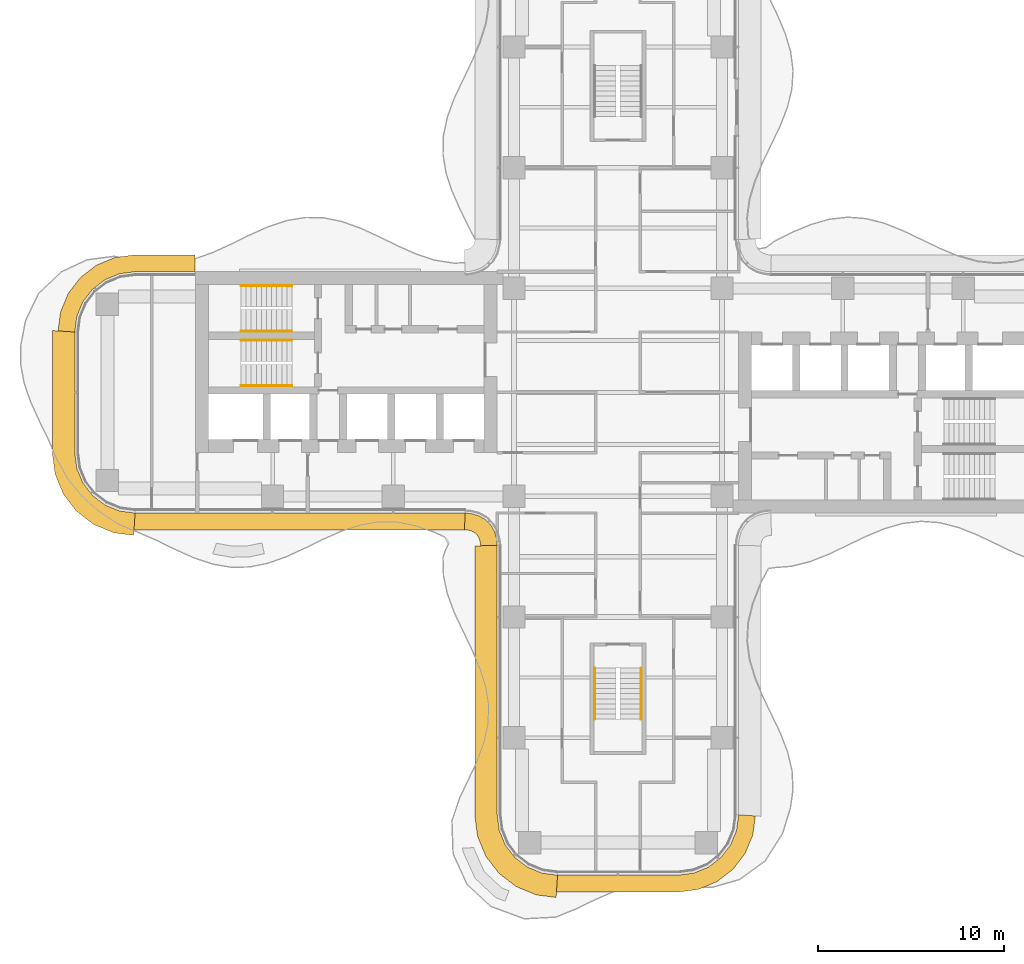
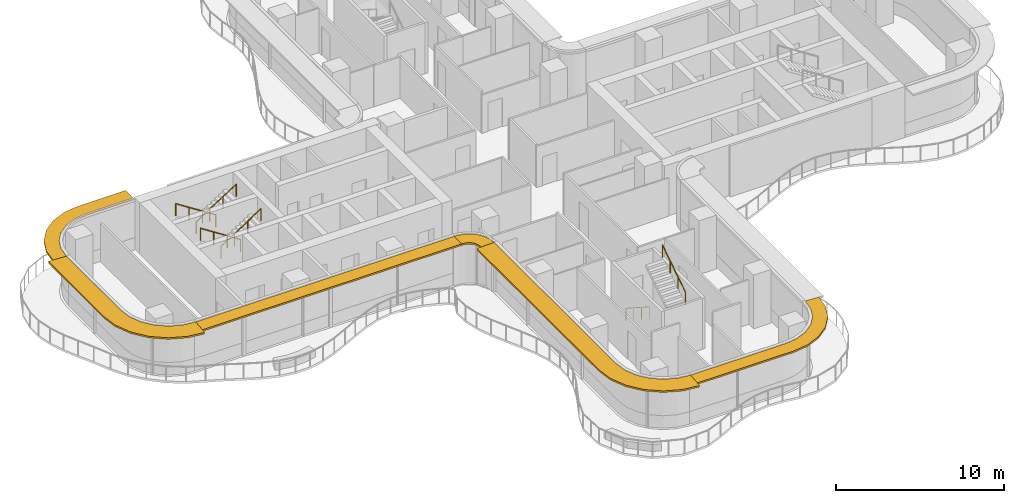
# One storey, part 16 of 17: 6 railings, 6 shading devices.
"""IFC4 building model written with IfcOpenShell, lengths in metres."""

from ifc_helpers import new_model, si_unit, direction, frame, origin, origin_2d, place, context, subcontext, project, spatial, polyline, circle, outline, extrude, source, transform, mapped, material, layer, layer_set, type_object, element, save


model = new_model("IFC4")

# Units and contexts
model_context = context("Model", 3, precision=1e-05, world=origin(), true_north=direction((0.0, 1.0)))
body_context = subcontext(model_context, "Body", "Model", "MODEL_VIEW")
ifc_project = project(units=[si_unit("LENGTHUNIT", "METRE"), si_unit("AREAUNIT", "SQUARE_METRE"), si_unit("VOLUMEUNIT", "CUBIC_METRE"), si_unit("PLANEANGLEUNIT", "RADIAN"), si_unit("MASSUNIT", "GRAM", prefix="KILO")], contexts=[model_context])

# Site, building, storey
site_placement = place(None, origin())
site = spatial("IfcSite", under=ifc_project, at=site_placement, CompositionType="ELEMENT")
building_placement = place(site_placement, origin())
building = spatial("IfcBuilding", under=site, at=building_placement, Name="Trellis Farm Tower", CompositionType="ELEMENT")
storey_placement = place(building_placement, frame((0.0, 0.0, 173.699951171875)))
storey = spatial("IfcBuildingStorey", under=building, at=storey_placement, Name="L37", CompositionType="ELEMENT", Elevation=173.699951171875)

# Railings
ifc_material_1 = material(Name="Stainless steel", Category="steel")
railing_type = type_object("IfcRailingType", Name="STAIR HANDRAIL 900", PredefinedType="HANDRAIL", material=ifc_material_1)
shared_shape_1 = source(origin(), body_context, "Body", "SweptSolid", [
    extrude(circle(Radius=0.02392578125, at=origin_2d()), frame((0.0, 0.0, 0.8759765625), z_axis=(0.0, 0.840503830235, 0.541805602924), x_axis=(-1.0, 0.0, 0.0)), (0.0, 0.0, 1.0), 3.271728515625),
    extrude(circle(Radius=0.02099609375, at=origin_2d()), origin(), (0.0, 0.0, 1.0), 0.851806640625),
    extrude(circle(Radius=0.02099609375, at=origin_2d()), frame((0.0, 0.916748046875, 0.5908203125)), (0.0, 0.0, 1.0), 0.851806640625),
    extrude(circle(Radius=0.02099609375, at=origin_2d()), frame((0.0, 1.833251953125, 1.181884765625)), (0.0, 0.0, 1.0), 0.851806640625),
    extrude(circle(Radius=0.02099609375, at=origin_2d()), frame((0.0, 2.75, 1.772705078125)), (0.0, 0.0, 1.0), 0.851806640625),
])
railing_1_placement = place(storey_placement, frame((1.25, -17.60009765625, 2.12744140625)))
element("IfcRailing", 1, at=railing_1_placement, inside=storey, type_object=railing_type, Name="Stair handrail", PredefinedType="HANDRAIL", context=body_context, shape_type="MappedRepresentation", body=[
    mapped(shared_shape_1, transform((0.0, 0.0, 0.0))),
])
shared_shape_2 = source(origin(), body_context, "Body", "SweptSolid", [
    extrude(circle(Radius=0.02392578125, at=origin_2d()), frame((0.0, 0.0, 0.8759765625), z_axis=(0.0, -0.840503830235, 0.541805602924), x_axis=(1.0, 0.0, 0.0)), (0.0, 0.0, 1.0), 3.271728515625),
    extrude(circle(Radius=0.02099609375, at=origin_2d()), origin(), (0.0, 0.0, 1.0), 0.851806640625),
    extrude(circle(Radius=0.02099609375, at=origin_2d()), frame((0.0, -0.916748046875, 0.5908203125)), (0.0, 0.0, 1.0), 0.851806640625),
    extrude(circle(Radius=0.02099609375, at=origin_2d()), frame((0.0, -1.833251953125, 1.181884765625)), (0.0, 0.0, 1.0), 0.851806640625),
    extrude(circle(Radius=0.02099609375, at=origin_2d()), frame((0.0, -2.75, 1.772705078125)), (0.0, 0.0, 1.0), 0.851806640625),
])
railing_2_placement = place(storey_placement, frame((-1.25, -14.85009765625, 0.17724609375)))
element("IfcRailing", 2, at=railing_2_placement, inside=storey, type_object=railing_type, Name="Stair handrail", PredefinedType="HANDRAIL", context=body_context, shape_type="MappedRepresentation", body=[
    mapped(shared_shape_2, transform((0.0, 0.0, 0.0))),
])
shared_shape_3 = source(origin(), body_context, "Body", "SweptSolid", [
    extrude(circle(Radius=0.02392578125, at=origin_2d()), frame((0.0, 0.0, 0.8759765625), z_axis=(0.840503830235, 0.0, 0.541805602924), x_axis=(0.0, 1.0, 0.0)), (0.0, 0.0, 1.0), 3.271728515625),
    extrude(circle(Radius=0.02099609375, at=origin_2d()), origin(), (0.0, 0.0, 1.0), 0.851806640625),
    extrude(circle(Radius=0.02099609375, at=origin_2d()), frame((0.916748046875, 0.0, 0.5908203125)), (0.0, 0.0, 1.0), 0.851806640625),
    extrude(circle(Radius=0.02099609375, at=origin_2d()), frame((1.833251953125, 0.0, 1.181884765625)), (0.0, 0.0, 1.0), 0.851806640625),
    extrude(circle(Radius=0.02099609375, at=origin_2d()), frame((2.75, 0.0, 1.772705078125)), (0.0, 0.0, 1.0), 0.851806640625),
])
for number, where, name in (
    (3, (-20.300048828125, 3.300048828125, 2.12744140625), "Stair handrail"),
    (4, (-20.300048828125, 0.35009765625, 2.12744140625), "Stair handrail"),
):
    element("IfcRailing", number, at=place(storey_placement, frame(where)), inside=storey, type_object=railing_type, Name=name, PredefinedType="HANDRAIL", context=body_context, shape_type="MappedRepresentation", body=[
        mapped(shared_shape_3, transform((0.0, 0.0, 0.0))),
    ])
shared_shape_4 = source(origin(), body_context, "Body", "SweptSolid", [
    extrude(circle(Radius=0.02392578125, at=origin_2d()), frame((0.0, 0.0, 0.8759765625), z_axis=(-0.840503830235, 0.0, 0.541805602924), x_axis=(0.0, -1.0, 0.0)), (0.0, 0.0, 1.0), 3.271728515625),
    extrude(circle(Radius=0.02099609375, at=origin_2d()), origin(), (0.0, 0.0, 1.0), 0.851806640625),
    extrude(circle(Radius=0.02099609375, at=origin_2d()), frame((-0.916748046875, 0.0, 0.5908203125)), (0.0, 0.0, 1.0), 0.851806640625),
    extrude(circle(Radius=0.02099609375, at=origin_2d()), frame((-1.833251953125, 0.0, 1.181884765625)), (0.0, 0.0, 1.0), 0.851806640625),
    extrude(circle(Radius=0.02099609375, at=origin_2d()), frame((-2.75, 0.0, 1.772705078125)), (0.0, 0.0, 1.0), 0.851806640625),
])
for number, where, name in (
    (5, (-17.550048828125, 5.75, 0.17724609375), "Stair handrail"),
    (6, (-17.550048828125, 2.800048828125, 0.17724609375), "Stair handrail"),
):
    element("IfcRailing", number, at=place(storey_placement, frame(where)), inside=storey, type_object=railing_type, Name=name, PredefinedType="HANDRAIL", context=body_context, shape_type="MappedRepresentation", body=[
        mapped(shared_shape_4, transform((0.0, 0.0, 0.0))),
    ])

# Shading devices
ifc_material_2 = material(Name="Aluminium extrusion 6063-T6", Category="aluminium")
ifc_layer_1 = layer(ifc_material_2, 0.1201171875)
ifc_layer_set_1 = layer_set([ifc_layer_1], Name="SUNSHADE BLADE 900")
shading_device_type_1 = type_object("IfcShadingDeviceType", Name="SUNSHADE BLADE 900", PredefinedType="USERDEFINED", material=ifc_layer_set_1)
shared_shape_5 = source(origin(), body_context, "Body", "SweptSolid", [
    extrude(outline(polyline([(-8.2607421875, -7.39990234375), (-8.107666015625, -7.409912109375), (-8.091552734375, -7.412109375), (-7.85595703125, -7.475341796875), (-7.697021484375, -7.567138671875), (-7.567138671875, -7.697021484375), (-7.475341796875, -7.85595703125), (-7.412109375, -8.091552734375), (-7.409912109375, -8.107666015625), (-7.39990234375, -8.2607421875), (-6.5, -8.2314453125), (-6.513916015625, -8.01953125), (-6.527587890625, -7.91552734375), (-6.63671875, -7.508544921875), (-6.846923828125, -7.144287109375), (-7.144287109375, -6.846923828125), (-7.508544921875, -6.63671875), (-7.91552734375, -6.527587890625), (-8.01953125, -6.513916015625), (-8.2314453125, -6.5), (-8.2607421875, -7.39990234375)])), origin(), (0.0, 0.0, 1.0), 0.1201171875),
])
placement = place(storey_placement, frame((0.0, 0.0, 3.5400390625)))
element("IfcShadingDevice", 7, at=placement, inside=storey, type_object=shading_device_type_1, Name="SD1 002", ObjectType="SUNSHADE", PredefinedType="USERDEFINED", context=body_context, shape_type="MappedRepresentation", body=[
    mapped(shared_shape_5, transform((0.0, 0.0, 0.0))),
])
ifc_layer_2 = layer(ifc_material_2, 0.1201171875)
ifc_layer_set_2 = layer_set([ifc_layer_2], Name="SUNSHADE BLADE 1200")
shading_device_type_2 = type_object("IfcShadingDeviceType", Name="SUNSHADE BLADE 1200", PredefinedType="USERDEFINED", material=ifc_layer_set_2)
shared_shape_6 = source(origin(), body_context, "Body", "SweptSolid", [
    extrude(outline(polyline([(-7.699951171875, -8.270751953125), (-7.699951171875, -22.82861328125), (-7.558349609375, -23.904541015625), (-7.11279296875, -24.980224609375), (-6.404052734375, -25.904052734375), (-5.480224609375, -26.61279296875), (-4.404541015625, -27.058349609375), (-3.32861328125, -27.199951171875), (-3.25, -26.0), (-4.091064453125, -25.88916015625), (-4.875, -25.564697265625), (-5.548095703125, -25.048095703125), (-6.064697265625, -24.375), (-6.38916015625, -23.591064453125), (-6.5, -22.75), (-6.5, -8.2314453125), (-7.699951171875, -8.270751953125)])), origin(), (0.0, 0.0, 1.0), 0.1201171875),
])
element("IfcShadingDevice", 8, at=placement, inside=storey, type_object=shading_device_type_2, Name="SD2 003", ObjectType="SUNSHADE", PredefinedType="USERDEFINED", context=body_context, shape_type="MappedRepresentation", body=[
    mapped(shared_shape_6, transform((0.0, 0.0, 0.0))),
])
shared_shape_7 = source(origin(), body_context, "Body", "SweptSolid", [
    extrude(outline(polyline([(-3.30908203125, -26.89990234375), (3.30908203125, -26.89990234375), (4.326171875, -26.76611328125), (5.328857421875, -26.350830078125), (6.18994140625, -25.68994140625), (6.850830078125, -24.828857421875), (7.26611328125, -23.826171875), (7.39990234375, -22.80908203125), (6.5, -22.75), (6.38916015625, -23.591064453125), (6.064697265625, -24.375), (5.548095703125, -25.048095703125), (4.875, -25.564697265625), (4.091064453125, -25.88916015625), (3.25, -26.0), (-3.25, -26.0), (-3.30908203125, -26.89990234375)])), origin(), (0.0, 0.0, 1.0), 0.1201171875),
])
element("IfcShadingDevice", 9, at=placement, inside=storey, type_object=shading_device_type_1, Name="SD1 004", ObjectType="SUNSHADE", PredefinedType="USERDEFINED", context=body_context, shape_type="MappedRepresentation", body=[
    mapped(shared_shape_7, transform((0.0, 0.0, 0.0))),
])
shared_shape_8 = source(origin(), body_context, "Body", "SweptSolid", [
    extrude(outline(polyline([(-26.05908203125, -7.39990234375), (-8.2607421875, -7.39990234375), (-8.2314453125, -6.5), (-26.0, -6.5), (-26.05908203125, -7.39990234375)])), origin(), (0.0, 0.0, 1.0), 0.1201171875),
])
element("IfcShadingDevice", 10, at=placement, inside=storey, type_object=shading_device_type_1, Name="SD1 001", ObjectType="SUNSHADE", PredefinedType="USERDEFINED", context=body_context, shape_type="MappedRepresentation", body=[
    mapped(shared_shape_8, transform((0.0, 0.0, 0.0))),
])
shared_shape_9 = source(origin(), body_context, "Body", "SweptSolid", [
    extrude(outline(polyline([(-22.780029296875, 7.39990234375), (-26.05908203125, 7.39990234375), (-27.076171875, 7.26611328125), (-28.078857421875, 6.850830078125), (-28.93994140625, 6.18994140625), (-29.600830078125, 5.328857421875), (-30.01611328125, 4.326171875), (-30.14990234375, 3.30908203125), (-29.25, 3.25), (-29.13916015625, 4.091064453125), (-28.814697265625, 4.875), (-28.298095703125, 5.548095703125), (-27.625, 6.064697265625), (-26.841064453125, 6.38916015625), (-26.0, 6.5), (-22.780029296875, 6.5), (-22.780029296875, 7.39990234375)])), origin(), (0.0, 0.0, 1.0), 0.1201171875),
])
element("IfcShadingDevice", 11, at=placement, inside=storey, type_object=shading_device_type_1, Name="SD1 015", ObjectType="SUNSHADE", PredefinedType="USERDEFINED", context=body_context, shape_type="MappedRepresentation", body=[
    mapped(shared_shape_9, transform((0.0, 0.0, 0.0))),
])
shared_shape_10 = source(origin(), body_context, "Body", "SweptSolid", [
    extrude(outline(polyline([(-30.449951171875, 3.32861328125), (-30.449951171875, -3.32861328125), (-30.308349609375, -4.404541015625), (-29.86279296875, -5.480224609375), (-29.154052734375, -6.404052734375), (-28.230224609375, -7.11279296875), (-27.154541015625, -7.558349609375), (-26.07861328125, -7.699951171875), (-26.0, -6.5), (-26.841064453125, -6.38916015625), (-27.625, -6.064697265625), (-28.298095703125, -5.548095703125), (-28.814697265625, -4.875), (-29.13916015625, -4.091064453125), (-29.25, -3.25), (-29.25, 3.25), (-30.449951171875, 3.32861328125)])), origin(), (0.0, 0.0, 1.0), 0.1201171875),
])
element("IfcShadingDevice", 12, at=placement, inside=storey, type_object=shading_device_type_2, Name="SD2 016", ObjectType="SUNSHADE", PredefinedType="USERDEFINED", context=body_context, shape_type="MappedRepresentation", body=[
    mapped(shared_shape_10, transform((0.0, 0.0, 0.0))),
])

save(model, "model.ifc")
